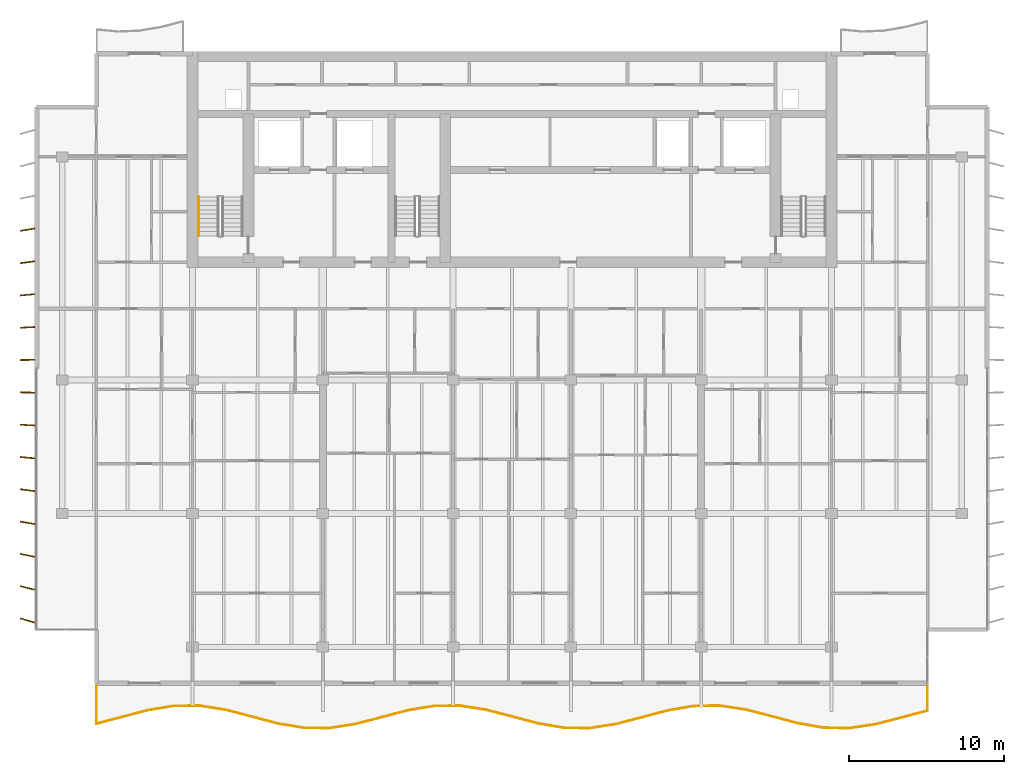
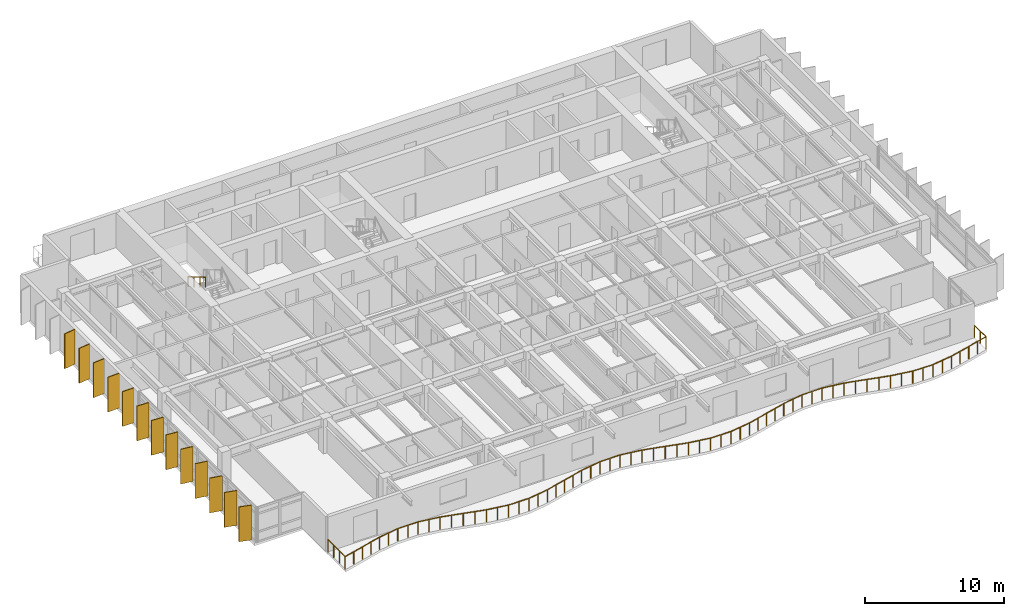
# One storey, part 12 of 16: 13 shading devices, 2 railings.
"""IFC4 building model written with IfcOpenShell, lengths in metres."""

from ifc_helpers import new_model, si_unit, direction, frame, origin, origin_2d, place, context, subcontext, project, spatial, rectangle, circle, extrude, material, material_profile, profile_set, type_object, element, save


model = new_model("IFC4")

# Units and contexts
model_context = context("Model", 3, precision=1e-05, world=origin(), true_north=direction((0.0, 1.0)))
body_context = subcontext(model_context, "Body", "Model", "MODEL_VIEW")
ifc_project = project(units=[si_unit("LENGTHUNIT", "METRE"), si_unit("AREAUNIT", "SQUARE_METRE"), si_unit("VOLUMEUNIT", "CUBIC_METRE"), si_unit("PLANEANGLEUNIT", "RADIAN"), si_unit("MASSUNIT", "GRAM", prefix="KILO")], contexts=[model_context])

# Site, building, storey
site_placement = place(None, origin())
site = spatial("IfcSite", under=ifc_project, at=site_placement, CompositionType="ELEMENT")
building_placement = place(site_placement, origin())
building = spatial("IfcBuilding", under=site, at=building_placement, Name="Caelmar Bay Residences", CompositionType="ELEMENT")
storey_placement = place(building_placement, frame((0.0, 0.0, 233.10009765625)))
storey = spatial("IfcBuildingStorey", under=building, at=storey_placement, Name="L65", CompositionType="ELEMENT", Elevation=233.10009765625)

# Railings
ifc_material_1 = material(Name="Anodised bronze handrail with laminated hurricane glass infill", Category="glass")
railing_type_1 = type_object("IfcRailingType", Name="RL-BAL-1100", PredefinedType="BALUSTRADE", material=ifc_material_1)
railing_1_placement = place(storey_placement, frame((12.10009765625, 9.699951171875, 0.0)))
element("IfcRailing", 1, at=railing_1_placement, inside=storey, type_object=railing_type_1, Name="L65 south Balcony Balustrade", PredefinedType="BALUSTRADE", context=body_context, shape_type="SweptSolid", body=[
    extrude(circle(Radius=0.02392578125, at=origin_2d()), frame((0.0, 0.0, 1.076171875), z_axis=(0.0, -1.0, 0.0), x_axis=(1.0, 0.0, 0.0)), (0.0, 0.0, 1.0), 2.460693359375),
    extrude(circle(Radius=0.02392578125, at=origin_2d()), frame((0.0, -2.460693359375, 1.076171875), z_axis=(0.967256930125, 0.253799194493, 0.0), x_axis=(-0.253799194493, 0.967256930125, 0.0)), (0.0, 0.0, 1.0), 1.7314453125),
    extrude(circle(Radius=0.02392578125, at=origin_2d()), frame((1.6748046875, -2.021240234375, 1.076171875), z_axis=(0.967196770145, 0.254028360268, 0.0), x_axis=(-0.254028360268, 0.967196770145, 0.0)), (0.0, 0.0, 1.0), 1.73193359375),
    extrude(circle(Radius=0.02392578125, at=origin_2d()), frame((3.349853515625, -1.581298828125, 1.076171875), z_axis=(0.986936615289, 0.161109023338, 0.0), x_axis=(-0.161109023338, 0.986936615289, 0.0)), (0.0, 0.0, 1.0), 1.697265625),
    extrude(circle(Radius=0.02392578125, at=origin_2d()), frame((5.02490234375, -1.307861328125, 1.076171875), z_axis=(0.999998470475, 0.001749013503, 0.0), x_axis=(-0.001749013503, 0.999998470475, 0.0)), (0.0, 0.0, 1.0), 1.675048828125),
    extrude(circle(Radius=0.02392578125, at=origin_2d()), frame((6.699951171875, -1.304931640625, 1.076171875), z_axis=(0.987390290757, -0.158304812685, 0.0), x_axis=(0.158304812685, 0.987390290757, 0.0)), (0.0, 0.0, 1.0), 1.696533203125),
    extrude(circle(Radius=0.02392578125, at=origin_2d()), frame((8.375, -1.573486328125, 1.076171875), z_axis=(0.967464333736, -0.253007436548, 0.0), x_axis=(0.253007436548, 0.967464333736, 0.0)), (0.0, 0.0, 1.0), 1.731201171875),
    extrude(circle(Radius=0.02392578125, at=origin_2d()), frame((10.0498046875, -2.011474609375, 1.076171875), z_axis=(0.966988676914, -0.254819345264, 0.0), x_axis=(0.254819345264, 0.966988676914, 0.0)), (0.0, 0.0, 1.0), 1.732177734375),
    extrude(circle(Radius=0.02392578125, at=origin_2d()), frame((11.724853515625, -2.452880859375, 1.076171875), z_axis=(0.986614558633, -0.163069655953, 0.0), x_axis=(0.163069655953, 0.986614558633, 0.0)), (0.0, 0.0, 1.0), 1.69775390625),
    extrude(circle(Radius=0.02392578125, at=origin_2d()), frame((13.39990234375, -2.729736328125, 1.076171875), z_axis=(0.999990440582, -0.004372498647, 0.0), x_axis=(0.004372498647, 0.999990440582, 0.0)), (0.0, 0.0, 1.0), 1.675048828125),
    extrude(circle(Radius=0.02392578125, at=origin_2d()), frame((15.074951171875, -2.737060546875, 1.076171875), z_axis=(0.987725584611, 0.156199134135, 0.0), x_axis=(-0.156199134135, 0.987725584611, 0.0)), (0.0, 0.0, 1.0), 1.69580078125),
    extrude(circle(Radius=0.02392578125, at=origin_2d()), frame((16.75, -2.47216796875, 1.076171875), z_axis=(0.967636742586, 0.252347249634, 0.0), x_axis=(-0.252347249634, 0.967636742586, 0.0)), (0.0, 0.0, 1.0), 1.730712890625),
    extrude(circle(Radius=0.02392578125, at=origin_2d()), frame((18.4248046875, -2.035400390625, 1.076171875), z_axis=(0.966814840506, 0.255478108998, 0.0), x_axis=(-0.255478108998, 0.966814840506, 0.0)), (0.0, 0.0, 1.0), 1.732421875),
    extrude(circle(Radius=0.02392578125, at=origin_2d()), frame((20.099853515625, -1.5927734375, 1.076171875), z_axis=(0.986288822241, 0.165028358539, 0.0), x_axis=(-0.165028358539, 0.986288822241, 0.0)), (0.0, 0.0, 1.0), 1.6982421875),
    extrude(circle(Radius=0.02392578125, at=origin_2d()), frame((21.77490234375, -1.3125, 1.076171875), z_axis=(0.999975528438, 0.006995893509, 0.0), x_axis=(-0.006995893509, 0.999975528438, 0.0)), (0.0, 0.0, 1.0), 1.675048828125),
    extrude(circle(Radius=0.02392578125, at=origin_2d()), frame((23.449951171875, -1.30078125, 1.076171875), z_axis=(0.98803467442, -0.154231910262, 0.0), x_axis=(0.154231910262, 0.98803467442, 0.0)), (0.0, 0.0, 1.0), 1.6953125),
    extrude(circle(Radius=0.02392578125, at=origin_2d()), frame((25.125, -1.562255859375, 1.076171875), z_axis=(0.967843119183, -0.251554559986, 0.0), x_axis=(0.251554559986, 0.967843119183, 0.0)), (0.0, 0.0, 1.0), 1.73046875),
    extrude(circle(Radius=0.02392578125, at=origin_2d()), frame((26.7998046875, -1.99755859375, 1.076171875), z_axis=(0.966675493447, -0.256004863955, 0.0), x_axis=(0.256004863955, 0.966675493447, 0.0)), (0.0, 0.0, 1.0), 1.73291015625),
    extrude(circle(Radius=0.02392578125, at=origin_2d()), frame((28.474853515625, -2.441162109375, 1.076171875), z_axis=(0.985935748475, -0.167124803305, 0.0), x_axis=(0.167124803305, 0.985935748475, 0.0)), (0.0, 0.0, 1.0), 1.698974609375),
    extrude(circle(Radius=0.02392578125, at=origin_2d()), frame((30.14990234375, -2.72509765625, 1.076171875), z_axis=(0.999955126221, -0.009473412506, 0.0), x_axis=(0.009473412506, 0.999955126221, 0.0)), (0.0, 0.0, 1.0), 1.675048828125),
    extrude(circle(Radius=0.02392578125, at=origin_2d()), frame((31.824951171875, -2.740966796875, 1.076171875), z_axis=(0.988361703259, 0.152122133602, 0.0), x_axis=(-0.152122133602, 0.988361703259, 0.0)), (0.0, 0.0, 1.0), 1.69482421875),
    extrude(circle(Radius=0.02392578125, at=origin_2d()), frame((33.5, -2.483154296875, 1.076171875), z_axis=(0.968048933905, 0.250761363783, 0.0), x_axis=(-0.250761363783, 0.968048933905, 0.0)), (0.0, 0.0, 1.0), 1.72998046875),
    extrude(circle(Radius=0.02392578125, at=origin_2d()), frame((35.1748046875, -2.04931640625, 1.076171875), z_axis=(0.96650096279, 0.256662987058, 0.0), x_axis=(-0.256662987058, 0.96650096279, 0.0)), (0.0, 0.0, 1.0), 1.733154296875),
    extrude(circle(Radius=0.02392578125, at=origin_2d()), frame((36.849853515625, -1.6044921875, 1.076171875), z_axis=(0.985602425984, 0.169079442557, 0.0), x_axis=(-0.169079442557, 0.985602425984, 0.0)), (0.0, 0.0, 1.0), 1.699462890625),
    extrude(circle(Radius=0.02392578125, at=origin_2d()), frame((38.52490234375, -1.317138671875, 1.076171875), z_axis=(0.999926834948, 0.012096476796, 0.0), x_axis=(-0.012096476796, 0.999926834948, 0.0)), (0.0, 0.0, 1.0), 1.67529296875),
    extrude(circle(Radius=0.02392578125, at=origin_2d()), frame((40.199951171875, -1.296875, 1.076171875), z_axis=(0.9886630559, -0.150151130192, 0.0), x_axis=(0.150151130192, 0.9886630559, 0.0)), (0.0, 0.0, 1.0), 1.6943359375),
    extrude(circle(Radius=0.02392578125, at=origin_2d()), frame((41.875, -1.55126953125, 1.076171875), z_axis=(0.968288339346, -0.24983532954, 0.0), x_axis=(0.24983532954, 0.968288339346, 0.0)), (0.0, 0.0, 1.0), 1.729736328125),
    extrude(circle(Radius=0.02392578125, at=origin_2d()), frame((43.5498046875, -1.9833984375, 1.076171875), z_axis=(0.966291018229, -0.257452263711, 0.0), x_axis=(0.257452263711, 0.966291018229, 0.0)), (0.0, 0.0, 1.0), 1.7333984375),
    extrude(circle(Radius=0.02392578125, at=origin_2d()), frame((45.224853515625, -2.4296875, 1.076171875), z_axis=(0.985289648633, -0.17089268064, 0.0), x_axis=(0.17089268064, 0.985289648633, 0.0)), (0.0, 0.0, 1.0), 1.699951171875),
    extrude(circle(Radius=0.02392578125, at=origin_2d()), frame((46.89990234375, -2.72021484375, 1.076171875), z_axis=(0.999891665362, -0.014719291386, 0.0), x_axis=(0.014719291386, 0.999891665362, 0.0)), (0.0, 0.0, 1.0), 1.67529296875),
    extrude(circle(Radius=0.02392578125, at=origin_2d()), frame((48.574951171875, -2.744873046875, 1.076171875), z_axis=(0.988981770383, 0.148037352891, 0.0), x_axis=(-0.148037352891, 0.988981770383, 0.0)), (0.0, 0.0, 1.0), 1.693603515625),
    extrude(circle(Radius=0.02392578125, at=origin_2d()), frame((50.25, -2.494140625, 1.076171875), z_axis=(0.968492932597, 0.249041039811, 0.0), x_axis=(-0.249041039811, 0.968492932597, 0.0)), (0.0, 0.0, 1.0), 1.729248046875),
    extrude(circle(Radius=0.02392578125, at=origin_2d()), frame((51.9248046875, -2.0634765625, 1.076171875), z_axis=(0.966150748003, 0.257978162125, 0.0), x_axis=(-0.257978162125, 0.966150748003, 0.0)), (0.0, 0.0, 1.0), 1.733642578125),
    extrude(circle(Radius=0.02392578125, at=origin_2d()), frame((53.599853515625, -1.6162109375, 1.076171875), z_axis=(0.0, 1.0, 0.0), x_axis=(-1.0, 0.0, 0.0)), (0.0, 0.0, 1.0), 1.6162109375),
    extrude(circle(Radius=0.02099609375, at=origin_2d()), origin(), (0.0, 0.0, 1.0), 1.052001953125),
    extrude(circle(Radius=0.02099609375, at=origin_2d()), frame((0.0, -0.8203125, 0.0)), (0.0, 0.0, 1.0), 1.052001953125),
    extrude(circle(Radius=0.02099609375, at=origin_2d()), frame((0.0, -1.640380859375, 0.0)), (0.0, 0.0, 1.0), 1.052001953125),
    extrude(circle(Radius=0.02099609375, at=origin_2d()), frame((0.0, -2.460693359375, 0.0)), (0.0, 0.0, 1.0), 1.052001953125),
    extrude(circle(Radius=0.02099609375, at=origin_2d()), frame((0.83740234375, -2.240966796875, 0.0)), (0.0, 0.0, 1.0), 1.052001953125),
    extrude(circle(Radius=0.02099609375, at=origin_2d()), frame((1.6748046875, -2.021240234375, 0.0)), (0.0, 0.0, 1.0), 1.052001953125),
    extrude(circle(Radius=0.02099609375, at=origin_2d()), frame((2.51220703125, -1.80126953125, 0.0)), (0.0, 0.0, 1.0), 1.052001953125),
    extrude(circle(Radius=0.02099609375, at=origin_2d()), frame((3.349853515625, -1.581298828125, 0.0)), (0.0, 0.0, 1.0), 1.052001953125),
    extrude(circle(Radius=0.02099609375, at=origin_2d()), frame((4.1875, -1.444580078125, 0.0)), (0.0, 0.0, 1.0), 1.052001953125),
    extrude(circle(Radius=0.02099609375, at=origin_2d()), frame((5.02490234375, -1.307861328125, 0.0)), (0.0, 0.0, 1.0), 1.052001953125),
    extrude(circle(Radius=0.02099609375, at=origin_2d()), frame((5.8623046875, -1.306396484375, 0.0)), (0.0, 0.0, 1.0), 1.052001953125),
    extrude(circle(Radius=0.02099609375, at=origin_2d()), frame((6.699951171875, -1.304931640625, 0.0)), (0.0, 0.0, 1.0), 1.052001953125),
    extrude(circle(Radius=0.02099609375, at=origin_2d()), frame((7.53759765625, -1.439208984375, 0.0)), (0.0, 0.0, 1.0), 1.052001953125),
    extrude(circle(Radius=0.02099609375, at=origin_2d()), frame((8.375, -1.573486328125, 0.0)), (0.0, 0.0, 1.0), 1.052001953125),
    extrude(circle(Radius=0.02099609375, at=origin_2d()), frame((9.21240234375, -1.79248046875, 0.0)), (0.0, 0.0, 1.0), 1.052001953125),
    extrude(circle(Radius=0.02099609375, at=origin_2d()), frame((10.0498046875, -2.011474609375, 0.0)), (0.0, 0.0, 1.0), 1.052001953125),
    extrude(circle(Radius=0.02099609375, at=origin_2d()), frame((10.88720703125, -2.232177734375, 0.0)), (0.0, 0.0, 1.0), 1.052001953125),
    extrude(circle(Radius=0.02099609375, at=origin_2d()), frame((11.724853515625, -2.452880859375, 0.0)), (0.0, 0.0, 1.0), 1.052001953125),
    extrude(circle(Radius=0.02099609375, at=origin_2d()), frame((12.5625, -2.59130859375, 0.0)), (0.0, 0.0, 1.0), 1.052001953125),
    extrude(circle(Radius=0.02099609375, at=origin_2d()), frame((13.39990234375, -2.729736328125, 0.0)), (0.0, 0.0, 1.0), 1.052001953125),
    extrude(circle(Radius=0.02099609375, at=origin_2d()), frame((14.2373046875, -2.7333984375, 0.0)), (0.0, 0.0, 1.0), 1.052001953125),
    extrude(circle(Radius=0.02099609375, at=origin_2d()), frame((15.074951171875, -2.737060546875, 0.0)), (0.0, 0.0, 1.0), 1.052001953125),
    extrude(circle(Radius=0.02099609375, at=origin_2d()), frame((15.91259765625, -2.6044921875, 0.0)), (0.0, 0.0, 1.0), 1.052001953125),
    extrude(circle(Radius=0.02099609375, at=origin_2d()), frame((16.75, -2.47216796875, 0.0)), (0.0, 0.0, 1.0), 1.052001953125),
    extrude(circle(Radius=0.02099609375, at=origin_2d()), frame((17.58740234375, -2.25390625, 0.0)), (0.0, 0.0, 1.0), 1.052001953125),
    extrude(circle(Radius=0.02099609375, at=origin_2d()), frame((18.4248046875, -2.035400390625, 0.0)), (0.0, 0.0, 1.0), 1.052001953125),
    extrude(circle(Radius=0.02099609375, at=origin_2d()), frame((19.26220703125, -1.81396484375, 0.0)), (0.0, 0.0, 1.0), 1.052001953125),
    extrude(circle(Radius=0.02099609375, at=origin_2d()), frame((20.099853515625, -1.5927734375, 0.0)), (0.0, 0.0, 1.0), 1.052001953125),
    extrude(circle(Radius=0.02099609375, at=origin_2d()), frame((20.9375, -1.45263671875, 0.0)), (0.0, 0.0, 1.0), 1.052001953125),
    extrude(circle(Radius=0.02099609375, at=origin_2d()), frame((21.77490234375, -1.3125, 0.0)), (0.0, 0.0, 1.0), 1.052001953125),
    extrude(circle(Radius=0.02099609375, at=origin_2d()), frame((22.6123046875, -1.306640625, 0.0)), (0.0, 0.0, 1.0), 1.052001953125),
    extrude(circle(Radius=0.02099609375, at=origin_2d()), frame((23.449951171875, -1.30078125, 0.0)), (0.0, 0.0, 1.0), 1.052001953125),
    extrude(circle(Radius=0.02099609375, at=origin_2d()), frame((24.28759765625, -1.431640625, 0.0)), (0.0, 0.0, 1.0), 1.052001953125),
    extrude(circle(Radius=0.02099609375, at=origin_2d()), frame((25.125, -1.562255859375, 0.0)), (0.0, 0.0, 1.0), 1.052001953125),
    extrude(circle(Radius=0.02099609375, at=origin_2d()), frame((25.96240234375, -1.77978515625, 0.0)), (0.0, 0.0, 1.0), 1.052001953125),
    extrude(circle(Radius=0.02099609375, at=origin_2d()), frame((26.7998046875, -1.99755859375, 0.0)), (0.0, 0.0, 1.0), 1.052001953125),
    extrude(circle(Radius=0.02099609375, at=origin_2d()), frame((27.63720703125, -2.21923828125, 0.0)), (0.0, 0.0, 1.0), 1.052001953125),
    extrude(circle(Radius=0.02099609375, at=origin_2d()), frame((28.474853515625, -2.441162109375, 0.0)), (0.0, 0.0, 1.0), 1.052001953125),
    extrude(circle(Radius=0.02099609375, at=origin_2d()), frame((29.3125, -2.5830078125, 0.0)), (0.0, 0.0, 1.0), 1.052001953125),
    extrude(circle(Radius=0.02099609375, at=origin_2d()), frame((30.14990234375, -2.72509765625, 0.0)), (0.0, 0.0, 1.0), 1.052001953125),
    extrude(circle(Radius=0.02099609375, at=origin_2d()), frame((30.9873046875, -2.73291015625, 0.0)), (0.0, 0.0, 1.0), 1.052001953125),
    extrude(circle(Radius=0.02099609375, at=origin_2d()), frame((31.824951171875, -2.740966796875, 0.0)), (0.0, 0.0, 1.0), 1.052001953125),
    extrude(circle(Radius=0.02099609375, at=origin_2d()), frame((32.66259765625, -2.612060546875, 0.0)), (0.0, 0.0, 1.0), 1.052001953125),
    extrude(circle(Radius=0.02099609375, at=origin_2d()), frame((33.5, -2.483154296875, 0.0)), (0.0, 0.0, 1.0), 1.052001953125),
    extrude(circle(Radius=0.02099609375, at=origin_2d()), frame((34.33740234375, -2.26611328125, 0.0)), (0.0, 0.0, 1.0), 1.052001953125),
    extrude(circle(Radius=0.02099609375, at=origin_2d()), frame((35.1748046875, -2.04931640625, 0.0)), (0.0, 0.0, 1.0), 1.052001953125),
    extrude(circle(Radius=0.02099609375, at=origin_2d()), frame((36.01220703125, -1.826904296875, 0.0)), (0.0, 0.0, 1.0), 1.052001953125),
    extrude(circle(Radius=0.02099609375, at=origin_2d()), frame((36.849853515625, -1.6044921875, 0.0)), (0.0, 0.0, 1.0), 1.052001953125),
    extrude(circle(Radius=0.02099609375, at=origin_2d()), frame((37.6875, -1.4609375, 0.0)), (0.0, 0.0, 1.0), 1.052001953125),
    extrude(circle(Radius=0.02099609375, at=origin_2d()), frame((38.52490234375, -1.317138671875, 0.0)), (0.0, 0.0, 1.0), 1.052001953125),
    extrude(circle(Radius=0.02099609375, at=origin_2d()), frame((39.3623046875, -1.30712890625, 0.0)), (0.0, 0.0, 1.0), 1.052001953125),
    extrude(circle(Radius=0.02099609375, at=origin_2d()), frame((40.199951171875, -1.296875, 0.0)), (0.0, 0.0, 1.0), 1.052001953125),
    extrude(circle(Radius=0.02099609375, at=origin_2d()), frame((41.03759765625, -1.424072265625, 0.0)), (0.0, 0.0, 1.0), 1.052001953125),
    extrude(circle(Radius=0.02099609375, at=origin_2d()), frame((41.875, -1.55126953125, 0.0)), (0.0, 0.0, 1.0), 1.052001953125),
    extrude(circle(Radius=0.02099609375, at=origin_2d()), frame((42.71240234375, -1.767333984375, 0.0)), (0.0, 0.0, 1.0), 1.052001953125),
    extrude(circle(Radius=0.02099609375, at=origin_2d()), frame((43.5498046875, -1.9833984375, 0.0)), (0.0, 0.0, 1.0), 1.052001953125),
    extrude(circle(Radius=0.02099609375, at=origin_2d()), frame((44.38720703125, -2.20654296875, 0.0)), (0.0, 0.0, 1.0), 1.052001953125),
    extrude(circle(Radius=0.02099609375, at=origin_2d()), frame((45.224853515625, -2.4296875, 0.0)), (0.0, 0.0, 1.0), 1.052001953125),
    extrude(circle(Radius=0.02099609375, at=origin_2d()), frame((46.0625, -2.574951171875, 0.0)), (0.0, 0.0, 1.0), 1.052001953125),
    extrude(circle(Radius=0.02099609375, at=origin_2d()), frame((46.89990234375, -2.72021484375, 0.0)), (0.0, 0.0, 1.0), 1.052001953125),
    extrude(circle(Radius=0.02099609375, at=origin_2d()), frame((47.7373046875, -2.732421875, 0.0)), (0.0, 0.0, 1.0), 1.052001953125),
    extrude(circle(Radius=0.02099609375, at=origin_2d()), frame((48.574951171875, -2.744873046875, 0.0)), (0.0, 0.0, 1.0), 1.052001953125),
    extrude(circle(Radius=0.02099609375, at=origin_2d()), frame((49.41259765625, -2.61962890625, 0.0)), (0.0, 0.0, 1.0), 1.052001953125),
    extrude(circle(Radius=0.02099609375, at=origin_2d()), frame((50.25, -2.494140625, 0.0)), (0.0, 0.0, 1.0), 1.052001953125),
    extrude(circle(Radius=0.02099609375, at=origin_2d()), frame((51.08740234375, -2.27880859375, 0.0)), (0.0, 0.0, 1.0), 1.052001953125),
    extrude(circle(Radius=0.02099609375, at=origin_2d()), frame((51.9248046875, -2.0634765625, 0.0)), (0.0, 0.0, 1.0), 1.052001953125),
    extrude(circle(Radius=0.02099609375, at=origin_2d()), frame((52.76220703125, -1.83984375, 0.0)), (0.0, 0.0, 1.0), 1.052001953125),
    extrude(circle(Radius=0.02099609375, at=origin_2d()), frame((53.599853515625, -1.6162109375, 0.0)), (0.0, 0.0, 1.0), 1.052001953125),
    extrude(circle(Radius=0.02099609375, at=origin_2d()), frame((53.599853515625, -0.80810546875, 0.0)), (0.0, 0.0, 1.0), 1.052001953125),
    extrude(circle(Radius=0.02099609375, at=origin_2d()), frame((53.599853515625, 0.0, 0.0)), (0.0, 0.0, 1.0), 1.052001953125),
])
ifc_material_2 = material(Name="Brushed bronze stainless-steel tubular handrail 900 mm", Category="steel")
railing_type_2 = type_object("IfcRailingType", Name="RL-HND-900", PredefinedType="HANDRAIL", material=ifc_material_2)
railing_2_placement = place(storey_placement, frame((18.699951171875, 41.219970703125, 1.81494140625)))
element("IfcRailing", 2, at=railing_2_placement, inside=storey, type_object=railing_type_2, Name="L65 ST1 stair handrail 2", PredefinedType="HANDRAIL", context=body_context, shape_type="SweptSolid", body=[
    extrude(circle(Radius=0.02392578125, at=origin_2d()), frame((0.0, 0.0, 0.8759765625), z_axis=(0.0, -0.861560626758, 0.507654692109), x_axis=(1.0, 0.0, 0.0)), (0.0, 0.0, 1.0), 2.925048828125),
    extrude(circle(Radius=0.02099609375, at=origin_2d()), origin(), (0.0, 0.0, 1.0), 0.851806640625),
    extrude(circle(Radius=0.02099609375, at=origin_2d()), frame((0.0, -0.840087890625, 0.494873046875)), (0.0, 0.0, 1.0), 0.851806640625),
    extrude(circle(Radius=0.02099609375, at=origin_2d()), frame((0.0, -1.679931640625, 0.989990234375)), (0.0, 0.0, 1.0), 0.851806640625),
    extrude(circle(Radius=0.02099609375, at=origin_2d()), frame((0.0, -2.52001953125, 1.48486328125)), (0.0, 0.0, 1.0), 0.851806640625),
])

# Shading devices
ifc_material_3 = material(Name="Anodised architectural bronze aluminium 6063-T6", Category="aluminium")
ifc_material_profile = material_profile(ifc_material_3, rectangle(XDim=0.074951171875, YDim=0.949951171875, at=origin_2d()), Name="BRONZE-FIN-75X950")
ifc_profile_set = profile_set([ifc_material_profile], Name="Anodised architectural bronze aluminium 6063-T6")
shading_device_type = type_object("IfcShadingDeviceType", Name="SHD-FIN-950", PredefinedType="USERDEFINED", material=ifc_profile_set)
for number, where, z_axis, x_axis, name in (
    (3, (7.64990234375, 13.89990234375, 0.0), (0.0, 0.0, 1.0), (0.275637355817, 0.961261695938, 0.0), "L65 West Bronze Solar Fin 1"),
    (4, (7.64990234375, 16.0, 0.0), (0.0, 0.0, 1.0), (0.239719743609, 0.970842131618, 0.0), "L65 West Bronze Solar Fin 2"),
    (5, (7.64990234375, 18.10009765625, 0.0), (0.0, 0.0, 1.0), (0.2032999874, 0.979116497217, 0.0), "L65 West Bronze Solar Fin 3"),
    (6, (7.64990234375, 20.199951171875, 0.0), (0.0, 0.0, 1.0), (0.166768746716, 0.985996037071, 0.0), "L65 West Bronze Solar Fin 4"),
    (7, (7.64990234375, 22.300048828125, 0.0), (0.0, 0.0, 1.0), (0.130007055036, 0.99151306882, 0.0), "L65 West Bronze Solar Fin 5"),
    (8, (7.64990234375, 24.39990234375, 0.0), (0.0, 0.0, 1.0), (0.092891934994, 0.995676196569, 0.0), "L65 West Bronze Solar Fin 6"),
    (9, (7.64990234375, 26.5, 0.0), (0.0, 0.0, 1.0), (0.055821504993, 0.998440764182, 0.0), "L65 West Bronze Solar Fin 7"),
    (10, (7.64990234375, 28.60009765625, 0.0), (0.0, 0.0, 1.0), (0.018673937509, 0.999825626826, 0.0), "L65 West Bronze Solar Fin 8"),
    (11, (7.64990234375, 30.699951171875, 0.0), (0.0, 0.0, 1.0), (-0.018673937509, 0.999825626826, 0.0), "L65 West Bronze Solar Fin 9"),
    (12, (7.64990234375, 32.800048828125, 0.0), (0.0, 0.0, 1.0), (-0.055821504993, 0.998440764182, 0.0), "L65 West Bronze Solar Fin 10"),
    (13, (7.64990234375, 34.89990234375, 0.0), (0.0, 0.0, 1.0), (-0.092891934994, 0.995676196569, 0.0), "L65 West Bronze Solar Fin 11"),
    (14, (7.64990234375, 37.0, 0.0), (0.0, 0.0, 1.0), (-0.130007055036, 0.99151306882, 0.0), "L65 West Bronze Solar Fin 12"),
    (15, (7.64990234375, 39.10009765625, 0.0), (0.0, 0.0, 1.0), (-0.166768746716, 0.985996037071, 0.0), "L65 West Bronze Solar Fin 13"),
):
    element("IfcShadingDevice", number, at=place(storey_placement, frame(where, z_axis=z_axis, x_axis=x_axis)), inside=storey, type_object=shading_device_type, Name=name, ObjectType="FIN", PredefinedType="USERDEFINED", context=body_context, shape_type="SweptSolid", body=[
        extrude(rectangle(XDim=0.074951171875, YDim=0.949951171875, at=origin_2d()), origin(), (0.0, 0.0, 1.0), 3.0498046875),
    ])

save(model, "model.ifc")
